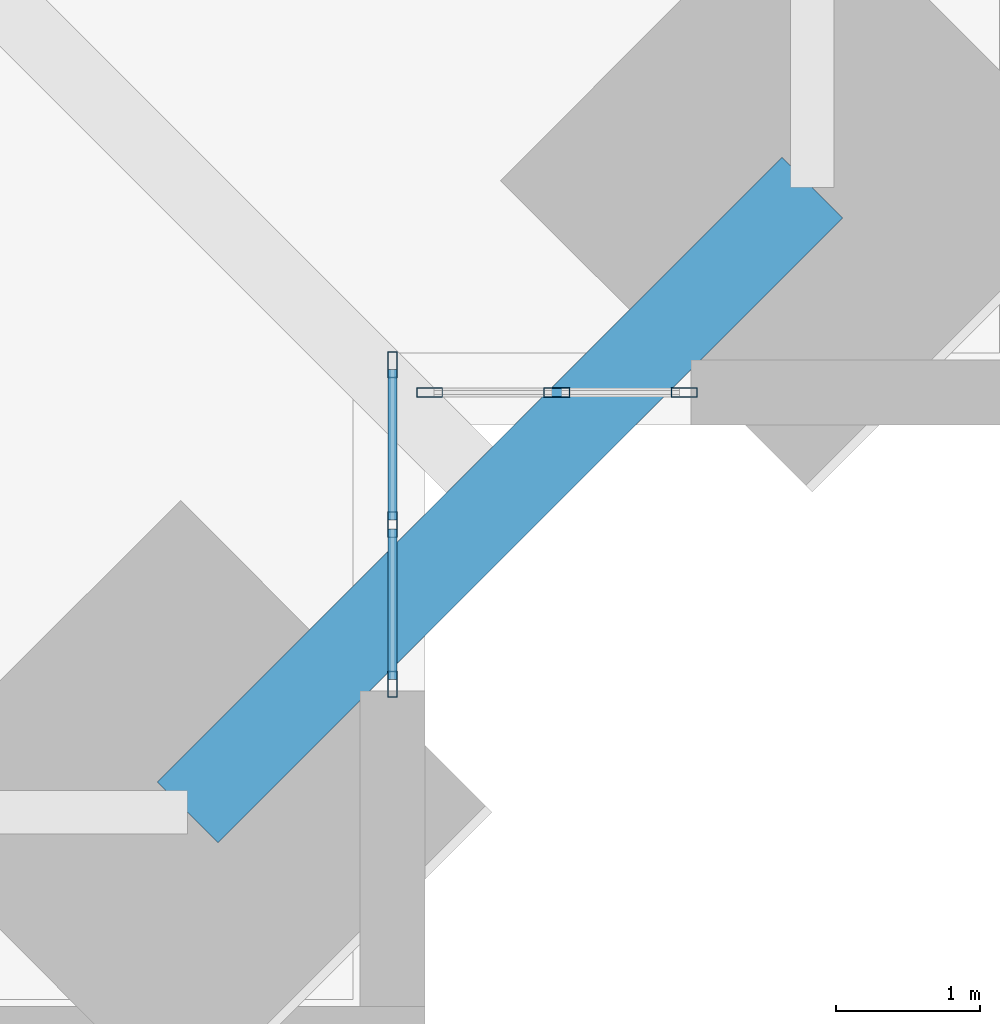
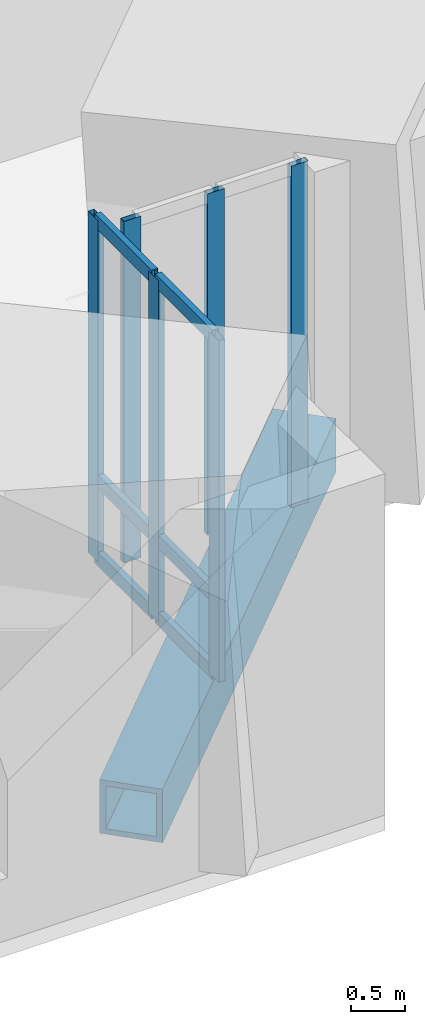
# One storey, part 4 of 15: 12 members, 1 beam, 2 elements without a shape of their own.
"""IFC4 building model written with IfcOpenShell, lengths in metres."""

from ifc_helpers import new_model, si_unit, direction, frame, origin, origin_2d, place, context, subcontext, project, spatial, hollow_rectangle, extrude, material, material_profile, profile_set, type_object, element, aggregate, save


model = new_model("IFC4")

# Units and contexts
model_context = context("Model", 3, precision=1e-05, world=origin(), true_north=direction((0.0, 1.0)))
body_context = subcontext(model_context, "Body", "Model", "MODEL_VIEW")
ifc_project = project(units=[si_unit("LENGTHUNIT", "METRE"), si_unit("AREAUNIT", "SQUARE_METRE"), si_unit("VOLUMEUNIT", "CUBIC_METRE"), si_unit("PLANEANGLEUNIT", "RADIAN"), si_unit("MASSUNIT", "GRAM", prefix="KILO")], contexts=[model_context])

# Site, building, storey
site_placement = place(None, origin())
site = spatial("IfcSite", under=ifc_project, at=site_placement, CompositionType="ELEMENT")
building_placement = place(site_placement, origin())
building = spatial("IfcBuilding", under=site, at=building_placement, Name="Peilmerk Tower", CompositionType="ELEMENT")
storey_placement = place(building_placement, frame((0.0, 0.0, 205.800048828125)))
storey = spatial("IfcBuildingStorey", under=building, at=storey_placement, Name="L44", CompositionType="ELEMENT", Elevation=205.800048828125)

# Beam
ifc_material_1 = material(Name="Steel S460", Category="steel")
ifc_material_profile_1 = material_profile(ifc_material_1, hollow_rectangle(XDim=0.60009765625, YDim=0.60009765625, WallThickness=0.06005859375, at=origin_2d()), Name="BOX 600x600x60")
ifc_profile_set_1 = profile_set([ifc_material_profile_1], Name="Steel S460")
beam_type = type_object("IfcBeamType", Name="B20 BOX 600x600x60 notch beam", PredefinedType="SPANDREL", material=ifc_profile_set_1)
beam_placement = place(storey_placement, frame((22.598388671875, -18.248291015625, -0.469970703125), z_axis=(-0.707106781187, -0.707106781187, 0.0), x_axis=(0.707106781187, -0.707106781187, 0.0)))
element("IfcBeam", 1, at=beam_placement, inside=storey, type_object=beam_type, Name="Notch beam L44", PredefinedType="SPANDREL", context=body_context, shape_type="SweptSolid", body=[
    extrude(hollow_rectangle(XDim=0.60009765625, YDim=0.60009765625, WallThickness=0.06005859375, at=origin_2d()), origin(), (0.0, 0.0, 1.0), 6.15185546875),
])

# Curtain wall, members
ifc_material_2 = material(Name="Aluminium stick curtain wall", Category="aluminium")
curtain_wall_type = type_object("IfcCurtainWallType", Name="CW4 stick curtain wall, 2250 module", PredefinedType="NOTDEFINED", material=ifc_material_2)
curtain_wall_1_placement = place(storey_placement, origin())
curtain_wall_1 = element("IfcCurtainWall", 2, at=curtain_wall_1_placement, inside=storey, type_object=curtain_wall_type, Name="Curtain wall CW4 SEA L44", PredefinedType="NOTDEFINED")
ifc_material_3 = material(Name="Aluminium EN AW-6063 T6", Category="aluminium")
ifc_material_profile_2 = material_profile(ifc_material_3, hollow_rectangle(XDim=0.06494140625, YDim=0.179931640625, WallThickness=0.0029296875, at=origin_2d()), Name="AL 180x65x3")
ifc_profile_set_2 = profile_set([ifc_material_profile_2], Name="Aluminium EN AW-6063 T6")
member_type_1 = type_object("IfcMemberType", Name="CW4-M AL 180x65x3 mullion", PredefinedType="MULLION", material=ifc_profile_set_2)
member_1_placement = place(storey_placement, frame((19.675048828125, -19.482421875, 0.0), z_axis=(0.0, 0.0, 1.0), x_axis=(1.0, 0.0, 0.0)))
member_1 = element("IfcMember", 3, at=member_1_placement, type_object=member_type_1, Name="CW4 mullion 1", PredefinedType="MULLION", context=body_context, shape_type="SweptSolid", body=[
    extrude(hollow_rectangle(XDim=0.06494140625, YDim=0.179931640625, WallThickness=0.0029296875, at=origin_2d()), origin(), (0.0, 0.0, 1.0), 3.829833984375),
])
member_2_placement = place(storey_placement, frame((19.675048828125, -20.59423828125, 0.0), z_axis=(0.0, 0.0, 1.0), x_axis=(1.0, 0.0, 0.0)))
member_2 = element("IfcMember", 4, at=member_2_placement, type_object=member_type_1, Name="CW4 mullion 2", PredefinedType="MULLION", context=body_context, shape_type="SweptSolid", body=[
    extrude(hollow_rectangle(XDim=0.06494140625, YDim=0.179931640625, WallThickness=0.0029296875, at=origin_2d()), origin(), (0.0, 0.0, 1.0), 3.829833984375),
])
member_3_placement = place(storey_placement, frame((19.675048828125, -21.706298828125, 0.0), z_axis=(0.0, 0.0, 1.0), x_axis=(1.0, 0.0, 0.0)))
member_3 = element("IfcMember", 5, at=member_3_placement, type_object=member_type_1, Name="CW4 mullion 3", PredefinedType="MULLION", context=body_context, shape_type="SweptSolid", body=[
    extrude(hollow_rectangle(XDim=0.06494140625, YDim=0.179931640625, WallThickness=0.0029296875, at=origin_2d()), origin(), (0.0, 0.0, 1.0), 3.829833984375),
])

curtain_wall_2_placement = place(storey_placement, origin())
curtain_wall_2 = element("IfcCurtainWall", 6, at=curtain_wall_2_placement, inside=storey, type_object=curtain_wall_type, Name="Curtain wall CW4 SEB L44", PredefinedType="NOTDEFINED")
member_4_placement = place(storey_placement, frame((19.9326171875, -19.675048828125, 0.0), z_axis=(0.0, 0.0, 1.0), x_axis=(0.0, 1.0, 0.0)))
member_4 = element("IfcMember", 7, at=member_4_placement, type_object=member_type_1, Name="CW4 mullion 1", PredefinedType="MULLION", context=body_context, shape_type="SweptSolid", body=[
    extrude(hollow_rectangle(XDim=0.06494140625, YDim=0.179931640625, WallThickness=0.0029296875, at=origin_2d()), origin(), (0.0, 0.0, 1.0), 3.829833984375),
])
member_5_placement = place(storey_placement, frame((20.8193359375, -19.675048828125, 0.0), z_axis=(0.0, 0.0, 1.0), x_axis=(0.0, 1.0, 0.0)))
member_5 = element("IfcMember", 8, at=member_5_placement, type_object=member_type_1, Name="CW4 mullion 2", PredefinedType="MULLION", context=body_context, shape_type="SweptSolid", body=[
    extrude(hollow_rectangle(XDim=0.06494140625, YDim=0.179931640625, WallThickness=0.0029296875, at=origin_2d()), origin(), (0.0, 0.0, 1.0), 3.829833984375),
])
member_6_placement = place(storey_placement, frame((21.706298828125, -19.675048828125, 0.0), z_axis=(0.0, 0.0, 1.0), x_axis=(0.0, 1.0, 0.0)))
member_6 = element("IfcMember", 9, at=member_6_placement, type_object=member_type_1, Name="CW4 mullion 3", PredefinedType="MULLION", context=body_context, shape_type="SweptSolid", body=[
    extrude(hollow_rectangle(XDim=0.06494140625, YDim=0.179931640625, WallThickness=0.0029296875, at=origin_2d()), origin(), (0.0, 0.0, 1.0), 3.829833984375),
])
aggregate(curtain_wall_2, [member_4, member_5, member_6])

# Member
ifc_material_profile_3 = material_profile(ifc_material_3, hollow_rectangle(XDim=0.06494140625, YDim=0.14990234375, WallThickness=0.0029296875, at=origin_2d()), Name="AL 150x65x3")
ifc_profile_set_3 = profile_set([ifc_material_profile_3], Name="Aluminium EN AW-6063 T6")
member_type_2 = type_object("IfcMemberType", Name="CW4-T AL 150x65x3 transom", PredefinedType="USERDEFINED", material=ifc_profile_set_3)
member_7_placement = place(storey_placement, frame((19.675048828125, -19.514892578125, 0.032470703125), z_axis=(0.0, -1.0, 0.0), x_axis=(1.0, 0.0, 0.0)))
member_7 = element("IfcMember", 10, at=member_7_placement, type_object=member_type_2, Name="CW4 transom 1.1", ObjectType="TRANSOM", PredefinedType="USERDEFINED", context=body_context, shape_type="SweptSolid", body=[
    extrude(hollow_rectangle(XDim=0.06494140625, YDim=0.14990234375, WallThickness=0.0029296875, at=origin_2d()), origin(), (0.0, 0.0, 1.0), 1.046875),
])

member_8_placement = place(storey_placement, frame((19.675048828125, -19.514892578125, 0.89990234375), z_axis=(0.0, -1.0, 0.0), x_axis=(1.0, 0.0, 0.0)))
member_8 = element("IfcMember", 11, at=member_8_placement, type_object=member_type_2, Name="CW4 transom 1.2", ObjectType="TRANSOM", PredefinedType="USERDEFINED", context=body_context, shape_type="SweptSolid", body=[
    extrude(hollow_rectangle(XDim=0.06494140625, YDim=0.14990234375, WallThickness=0.0029296875, at=origin_2d()), origin(), (0.0, 0.0, 1.0), 1.046875),
])

member_9_placement = place(storey_placement, frame((19.675048828125, -19.514892578125, 3.79736328125), z_axis=(0.0, -1.0, 0.0), x_axis=(1.0, 0.0, 0.0)))
member_9 = element("IfcMember", 12, at=member_9_placement, type_object=member_type_2, Name="CW4 transom 1.3", ObjectType="TRANSOM", PredefinedType="USERDEFINED", context=body_context, shape_type="SweptSolid", body=[
    extrude(hollow_rectangle(XDim=0.06494140625, YDim=0.14990234375, WallThickness=0.0029296875, at=origin_2d()), origin(), (0.0, 0.0, 1.0), 1.046875),
])

member_10_placement = place(storey_placement, frame((19.675048828125, -20.626953125, 0.032470703125), z_axis=(0.0, -1.0, 0.0), x_axis=(1.0, 0.0, 0.0)))
member_10 = element("IfcMember", 13, at=member_10_placement, type_object=member_type_2, Name="CW4 transom 2.1", ObjectType="TRANSOM", PredefinedType="USERDEFINED", context=body_context, shape_type="SweptSolid", body=[
    extrude(hollow_rectangle(XDim=0.06494140625, YDim=0.14990234375, WallThickness=0.0029296875, at=origin_2d()), origin(), (0.0, 0.0, 1.0), 1.046630859375),
])

member_11_placement = place(storey_placement, frame((19.675048828125, -20.626953125, 0.89990234375), z_axis=(0.0, -1.0, 0.0), x_axis=(1.0, 0.0, 0.0)))
member_11 = element("IfcMember", 14, at=member_11_placement, type_object=member_type_2, Name="CW4 transom 2.2", ObjectType="TRANSOM", PredefinedType="USERDEFINED", context=body_context, shape_type="SweptSolid", body=[
    extrude(hollow_rectangle(XDim=0.06494140625, YDim=0.14990234375, WallThickness=0.0029296875, at=origin_2d()), origin(), (0.0, 0.0, 1.0), 1.046630859375),
])

member_12_placement = place(storey_placement, frame((19.675048828125, -20.626953125, 3.79736328125), z_axis=(0.0, -1.0, 0.0), x_axis=(1.0, 0.0, 0.0)))
member_12 = element("IfcMember", 15, at=member_12_placement, type_object=member_type_2, Name="CW4 transom 2.3", ObjectType="TRANSOM", PredefinedType="USERDEFINED", context=body_context, shape_type="SweptSolid", body=[
    extrude(hollow_rectangle(XDim=0.06494140625, YDim=0.14990234375, WallThickness=0.0029296875, at=origin_2d()), origin(), (0.0, 0.0, 1.0), 1.046630859375),
])

aggregate(curtain_wall_1, [member_1, member_2, member_3, member_7, member_8, member_9, member_10, member_11, member_12])

save(model, "model.ifc")
